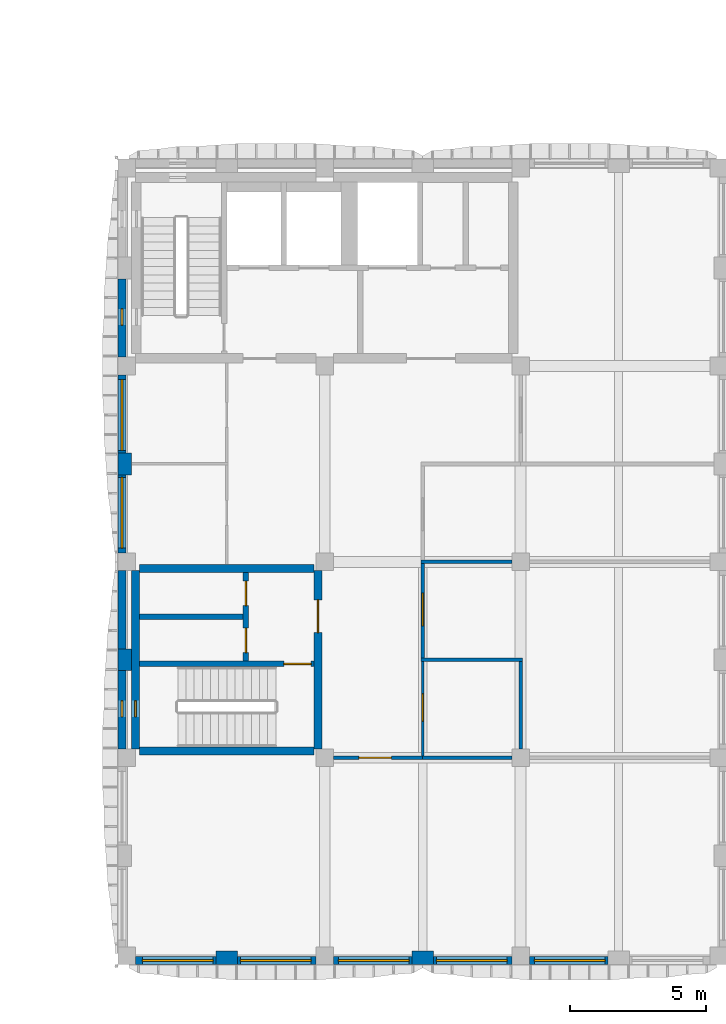
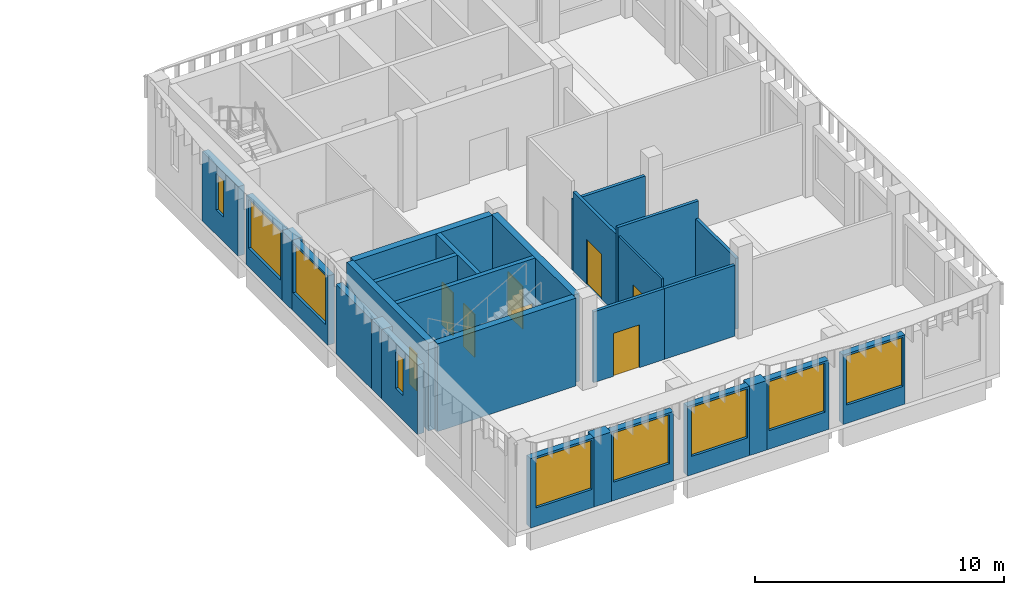
# One storey, part 4 of 24: 28 walls, 10 windows, 7 doors, 17 openings.
"""IFC4 building model written with IfcOpenShell, lengths in metres."""

from ifc_helpers import new_model, si_unit, direction, frame, frame_2d, origin, place, context, subcontext, project, spatial, rectangle, extrude, material, layer, layer_set, type_object, element, fill, save


model = new_model("IFC4")

# Units and contexts
model_context = context("Model", 3, precision=1e-05, world=origin(), true_north=direction((0.0, 1.0)))
body_context = subcontext(model_context, "Body", "Model", "MODEL_VIEW")
ifc_project = project(units=[si_unit("LENGTHUNIT", "METRE"), si_unit("AREAUNIT", "SQUARE_METRE"), si_unit("VOLUMEUNIT", "CUBIC_METRE"), si_unit("PLANEANGLEUNIT", "RADIAN"), si_unit("MASSUNIT", "GRAM", prefix="KILO")], contexts=[model_context])

# Site, building, storey
site_placement = place(None, origin())
site = spatial("IfcSite", under=ifc_project, at=site_placement, CompositionType="ELEMENT")
building_placement = place(site_placement, origin())
building = spatial("IfcBuilding", under=site, at=building_placement, Name="Ussher Court Research Institute", CompositionType="ELEMENT")
storey_placement = place(building_placement, frame((0.0, 0.0, 32.39990234375)))
storey = spatial("IfcBuildingStorey", under=building, at=storey_placement, Name="L07", CompositionType="ELEMENT", Elevation=32.39990234375)

# Wall, opening, window
ifc_material_1 = material(Name="Blockwork with cream render", Category="masonry")
ifc_layer_1 = layer(ifc_material_1, 0.300048828125)
ifc_layer_set_1 = layer_set([ifc_layer_1], Name="Blockwork with cream render")
wall_type_1 = type_object("IfcWallType", Name="External wall 300 cream render", PredefinedType="SOLIDWALL", material=ifc_layer_set_1)
wall_1_placement = place(storey_placement, frame((81.949951171875, 18.72509765625, 0.0), z_axis=(0.0, 0.0, 1.0), x_axis=(0.0, 1.0, 0.0)))
wall_1 = element("IfcWall", 1, at=wall_1_placement, inside=storey, type_object=wall_type_1, Name="External wall EW1 L07", PredefinedType="SOLIDWALL", context=body_context, shape_type="SweptSolid", body=[
    extrude(rectangle(XDim=2.875, YDim=0.300048828125, at=frame_2d((1.4375, 0.0))), origin(), (0.0, 0.0, 1.0), 3.400146484375),
])
opening_1_placement = place(wall_1_placement, frame((0.175048828125, 0.0, 0.89990234375)))
opening_1 = element("IfcOpeningElement", 2, at=opening_1_placement, cuts=wall_1, Name="Opening W01", PredefinedType="OPENING", context=body_context, shape_type="SweptSolid", body=[
    extrude(rectangle(XDim=2.60009765625, YDim=2.39990234375, at=frame_2d((1.300048828125, 1.199951171875))), frame((0.0, 0.16015625, 0.0), z_axis=(0.0, -1.0, 0.0), x_axis=(1.0, 0.0, 0.0)), (0.0, 0.0, 1.0), 0.320068359375),
])
ifc_material_2 = material(Name="Bronze anodised aluminium with double glazing", Category="aluminium")
window_type_1 = type_object("IfcWindowType", Name="Laboratory bay window 2600x2400", PartitioningType="DOUBLE_PANEL_VERTICAL", PredefinedType="WINDOW", material=ifc_material_2)
window_1_placement = place(opening_1_placement, origin())
window_1 = element("IfcWindow", 3, at=window_1_placement, inside=storey, type_object=window_type_1, Name="Window W01 L07", OverallHeight=2.39990234375, OverallWidth=2.60009765625, PartitioningType="SINGLE_PANEL", PredefinedType="WINDOW", context=body_context, shape_type="SweptSolid", body=[
    extrude(rectangle(XDim=2.60009765625, YDim=2.39990234375, at=frame_2d((1.300048828125, 1.199951171875))), frame((0.0, 0.030029296875, 0.0), z_axis=(0.0, -1.0, 0.0), x_axis=(1.0, 0.0, 0.0)), (0.0, 0.0, 1.0), 0.06005859375),
])
fill(opening_1, window_1)

wall_2_placement = place(storey_placement, frame((81.949951171875, 22.39990234375, 0.0), z_axis=(0.0, 0.0, 1.0), x_axis=(0.0, 1.0, 0.0)))
wall_2 = element("IfcWall", 4, at=wall_2_placement, inside=storey, type_object=wall_type_1, Name="External wall EW1 L07", PredefinedType="SOLIDWALL", context=body_context, shape_type="SweptSolid", body=[
    extrude(rectangle(XDim=2.875, YDim=0.300048828125, at=frame_2d((1.4375, 0.0))), origin(), (0.0, 0.0, 1.0), 3.400146484375),
])
opening_2_placement = place(wall_2_placement, frame((0.10009765625, 0.0, 0.89990234375)))
opening_2 = element("IfcOpeningElement", 5, at=opening_2_placement, cuts=wall_2, Name="Opening W01", PredefinedType="OPENING", context=body_context, shape_type="SweptSolid", body=[
    extrude(rectangle(XDim=2.60009765625, YDim=2.39990234375, at=frame_2d((1.300048828125, 1.199951171875))), frame((0.0, 0.16015625, 0.0), z_axis=(0.0, -1.0, 0.0), x_axis=(1.0, 0.0, 0.0)), (0.0, 0.0, 1.0), 0.320068359375),
])
window_2_placement = place(opening_2_placement, origin())
window_2 = element("IfcWindow", 6, at=window_2_placement, inside=storey, type_object=window_type_1, Name="Window W01 L07", OverallHeight=2.39990234375, OverallWidth=2.60009765625, PartitioningType="SINGLE_PANEL", PredefinedType="WINDOW", context=body_context, shape_type="SweptSolid", body=[
    extrude(rectangle(XDim=2.60009765625, YDim=2.39990234375, at=frame_2d((1.300048828125, 1.199951171875))), frame((0.0, 0.030029296875, 0.0), z_axis=(0.0, -1.0, 0.0), x_axis=(1.0, 0.0, 0.0)), (0.0, 0.0, 1.0), 0.06005859375),
])
fill(opening_2, window_2)

wall_3_placement = place(storey_placement, frame((99.800048828125, 3.75, 0.0), z_axis=(0.0, 0.0, 1.0), x_axis=(-1.0, 0.0, 0.0)))
wall_3 = element("IfcWall", 7, at=wall_3_placement, inside=storey, type_object=wall_type_1, Name="External wall EW1 L07", PredefinedType="SOLIDWALL", context=body_context, shape_type="SweptSolid", body=[
    extrude(rectangle(XDim=2.875, YDim=0.300048828125, at=frame_2d((1.4375, 0.0))), origin(), (0.0, 0.0, 1.0), 3.400146484375),
])
opening_3_placement = place(wall_3_placement, frame((0.10009765625, 0.0, 0.89990234375)))
opening_3 = element("IfcOpeningElement", 8, at=opening_3_placement, cuts=wall_3, Name="Opening W01", PredefinedType="OPENING", context=body_context, shape_type="SweptSolid", body=[
    extrude(rectangle(XDim=2.60009765625, YDim=2.39990234375, at=frame_2d((1.300048828125, 1.199951171875))), frame((0.0, 0.16015625, 0.0), z_axis=(0.0, -1.0, 0.0), x_axis=(1.0, 0.0, 0.0)), (0.0, 0.0, 1.0), 0.320068359375),
])
window_3_placement = place(opening_3_placement, origin())
window_3 = element("IfcWindow", 9, at=window_3_placement, inside=storey, type_object=window_type_1, Name="Window W01 L07", OverallHeight=2.39990234375, OverallWidth=2.60009765625, PartitioningType="SINGLE_PANEL", PredefinedType="WINDOW", context=body_context, shape_type="SweptSolid", body=[
    extrude(rectangle(XDim=2.60009765625, YDim=2.39990234375, at=frame_2d((1.300048828125, 1.199951171875))), frame((0.0, 0.030029296875, 0.0), z_axis=(0.0, -1.0, 0.0), x_axis=(1.0, 0.0, 0.0)), (0.0, 0.0, 1.0), 0.06005859375),
])
fill(opening_3, window_3)

wall_4_placement = place(storey_placement, frame((96.27490234375, 3.75, 0.0), z_axis=(0.0, 0.0, 1.0), x_axis=(-1.0, 0.0, 0.0)))
wall_4 = element("IfcWall", 10, at=wall_4_placement, inside=storey, type_object=wall_type_1, Name="External wall EW1 L07", PredefinedType="SOLIDWALL", context=body_context, shape_type="SweptSolid", body=[
    extrude(rectangle(XDim=2.875, YDim=0.300048828125, at=frame_2d((1.4375, 0.0))), origin(), (0.0, 0.0, 1.0), 3.400146484375),
])
opening_4_placement = place(wall_4_placement, frame((0.175048828125, 0.0, 0.89990234375)))
opening_4 = element("IfcOpeningElement", 11, at=opening_4_placement, cuts=wall_4, Name="Opening W01", PredefinedType="OPENING", context=body_context, shape_type="SweptSolid", body=[
    extrude(rectangle(XDim=2.60009765625, YDim=2.39990234375, at=frame_2d((1.300048828125, 1.199951171875))), frame((0.0, 0.16015625, 0.0), z_axis=(0.0, -1.0, 0.0), x_axis=(1.0, 0.0, 0.0)), (0.0, 0.0, 1.0), 0.320068359375),
])
window_4_placement = place(opening_4_placement, origin())
window_4 = element("IfcWindow", 12, at=window_4_placement, inside=storey, type_object=window_type_1, Name="Window W01 L07", OverallHeight=2.39990234375, OverallWidth=2.60009765625, PartitioningType="SINGLE_PANEL", PredefinedType="WINDOW", context=body_context, shape_type="SweptSolid", body=[
    extrude(rectangle(XDim=2.60009765625, YDim=2.39990234375, at=frame_2d((1.300048828125, 1.199951171875))), frame((0.0, 0.030029296875, 0.0), z_axis=(0.0, -1.0, 0.0), x_axis=(1.0, 0.0, 0.0)), (0.0, 0.0, 1.0), 0.06005859375),
])
fill(opening_4, window_4)

wall_5_placement = place(storey_placement, frame((92.60009765625, 3.75, 0.0), z_axis=(0.0, 0.0, 1.0), x_axis=(-1.0, 0.0, 0.0)))
wall_5 = element("IfcWall", 13, at=wall_5_placement, inside=storey, type_object=wall_type_1, Name="External wall EW1 L07", PredefinedType="SOLIDWALL", context=body_context, shape_type="SweptSolid", body=[
    extrude(rectangle(XDim=2.875, YDim=0.300048828125, at=frame_2d((1.4375, 0.0))), origin(), (0.0, 0.0, 1.0), 3.400146484375),
])
opening_5_placement = place(wall_5_placement, frame((0.10009765625, 0.0, 0.89990234375)))
opening_5 = element("IfcOpeningElement", 14, at=opening_5_placement, cuts=wall_5, Name="Opening W01", PredefinedType="OPENING", context=body_context, shape_type="SweptSolid", body=[
    extrude(rectangle(XDim=2.60009765625, YDim=2.39990234375, at=frame_2d((1.300048828125, 1.199951171875))), frame((0.0, 0.16015625, 0.0), z_axis=(0.0, -1.0, 0.0), x_axis=(1.0, 0.0, 0.0)), (0.0, 0.0, 1.0), 0.320068359375),
])
window_5_placement = place(opening_5_placement, origin())
window_5 = element("IfcWindow", 15, at=window_5_placement, inside=storey, type_object=window_type_1, Name="Window W01 L07", OverallHeight=2.39990234375, OverallWidth=2.60009765625, PartitioningType="SINGLE_PANEL", PredefinedType="WINDOW", context=body_context, shape_type="SweptSolid", body=[
    extrude(rectangle(XDim=2.60009765625, YDim=2.39990234375, at=frame_2d((1.300048828125, 1.199951171875))), frame((0.0, 0.030029296875, 0.0), z_axis=(0.0, -1.0, 0.0), x_axis=(1.0, 0.0, 0.0)), (0.0, 0.0, 1.0), 0.06005859375),
])
fill(opening_5, window_5)

wall_6_placement = place(storey_placement, frame((89.074951171875, 3.75, 0.0), z_axis=(0.0, 0.0, 1.0), x_axis=(-1.0, 0.0, 0.0)))
wall_6 = element("IfcWall", 16, at=wall_6_placement, inside=storey, type_object=wall_type_1, Name="External wall EW1 L07", PredefinedType="SOLIDWALL", context=body_context, shape_type="SweptSolid", body=[
    extrude(rectangle(XDim=2.875, YDim=0.300048828125, at=frame_2d((1.4375, 0.0))), origin(), (0.0, 0.0, 1.0), 3.400146484375),
])
opening_6_placement = place(wall_6_placement, frame((0.175048828125, 0.0, 0.89990234375)))
opening_6 = element("IfcOpeningElement", 17, at=opening_6_placement, cuts=wall_6, Name="Opening W01", PredefinedType="OPENING", context=body_context, shape_type="SweptSolid", body=[
    extrude(rectangle(XDim=2.60009765625, YDim=2.39990234375, at=frame_2d((1.300048828125, 1.199951171875))), frame((0.0, 0.16015625, 0.0), z_axis=(0.0, -1.0, 0.0), x_axis=(1.0, 0.0, 0.0)), (0.0, 0.0, 1.0), 0.320068359375),
])
window_6_placement = place(opening_6_placement, origin())
window_6 = element("IfcWindow", 18, at=window_6_placement, inside=storey, type_object=window_type_1, Name="Window W01 L07", OverallHeight=2.39990234375, OverallWidth=2.60009765625, PartitioningType="SINGLE_PANEL", PredefinedType="WINDOW", context=body_context, shape_type="SweptSolid", body=[
    extrude(rectangle(XDim=2.60009765625, YDim=2.39990234375, at=frame_2d((1.300048828125, 1.199951171875))), frame((0.0, 0.030029296875, 0.0), z_axis=(0.0, -1.0, 0.0), x_axis=(1.0, 0.0, 0.0)), (0.0, 0.0, 1.0), 0.06005859375),
])
fill(opening_6, window_6)

wall_7_placement = place(storey_placement, frame((85.39990234375, 3.75, 0.0), z_axis=(0.0, 0.0, 1.0), x_axis=(-1.0, 0.0, 0.0)))
wall_7 = element("IfcWall", 19, at=wall_7_placement, inside=storey, type_object=wall_type_1, Name="External wall EW1 L07", PredefinedType="SOLIDWALL", context=body_context, shape_type="SweptSolid", body=[
    extrude(rectangle(XDim=2.949951171875, YDim=0.300048828125, at=frame_2d((1.47509765625, 0.0))), origin(), (0.0, 0.0, 1.0), 3.400146484375),
])
opening_7_placement = place(wall_7_placement, frame((0.10009765625, 0.0, 0.89990234375)))
opening_7 = element("IfcOpeningElement", 20, at=opening_7_placement, cuts=wall_7, Name="Opening W01", PredefinedType="OPENING", context=body_context, shape_type="SweptSolid", body=[
    extrude(rectangle(XDim=2.60009765625, YDim=2.39990234375, at=frame_2d((1.300048828125, 1.199951171875))), frame((0.0, 0.16015625, 0.0), z_axis=(0.0, -1.0, 0.0), x_axis=(1.0, 0.0, 0.0)), (0.0, 0.0, 1.0), 0.320068359375),
])
window_7_placement = place(opening_7_placement, origin())
window_7 = element("IfcWindow", 21, at=window_7_placement, inside=storey, type_object=window_type_1, Name="Window W01 L07", OverallHeight=2.39990234375, OverallWidth=2.60009765625, PartitioningType="SINGLE_PANEL", PredefinedType="WINDOW", context=body_context, shape_type="SweptSolid", body=[
    extrude(rectangle(XDim=2.60009765625, YDim=2.39990234375, at=frame_2d((1.300048828125, 1.199951171875))), frame((0.0, 0.030029296875, 0.0), z_axis=(0.0, -1.0, 0.0), x_axis=(1.0, 0.0, 0.0)), (0.0, 0.0, 1.0), 0.06005859375),
])
fill(opening_7, window_7)

ifc_material_3 = material(Name="Limestone facing on blockwork", Category="masonry")
ifc_layer_2 = layer(ifc_material_3, 0.300048828125)
ifc_layer_set_2 = layer_set([ifc_layer_2], Name="Limestone facing on blockwork")
wall_type_2 = type_object("IfcWallType", Name="External wall 300 stair enclosure", PredefinedType="SOLIDWALL", material=ifc_layer_set_2)
wall_8_placement = place(storey_placement, frame((81.949951171875, 11.52490234375, 0.0), z_axis=(0.0, 0.0, 1.0), x_axis=(0.0, 1.0, 0.0)))
wall_8 = element("IfcWall", 22, at=wall_8_placement, inside=storey, type_object=wall_type_2, Name="External wall EW5 L07", PredefinedType="SOLIDWALL", context=body_context, shape_type="SweptSolid", body=[
    extrude(rectangle(XDim=2.875, YDim=0.300048828125, at=frame_2d((1.4375, 0.0))), origin(), (0.0, 0.0, 1.0), 3.400146484375),
])
opening_8_placement = place(wall_8_placement, frame((1.175048828125, 0.0, 1.199951171875)))
opening_8 = element("IfcOpeningElement", 23, at=opening_8_placement, cuts=wall_8, Name="Opening W25", PredefinedType="OPENING", context=body_context, shape_type="SweptSolid", body=[
    extrude(rectangle(XDim=0.60009765625, YDim=1.800048828125, at=frame_2d((0.300048828125, 0.89990234375))), frame((0.0, 0.16015625, 0.0), z_axis=(0.0, -1.0, 0.0), x_axis=(1.0, 0.0, 0.0)), (0.0, 0.0, 1.0), 0.320068359375),
])
ifc_material_4 = material(Name="Bronze anodised aluminium with double glazing", Category="aluminium")
window_type_2 = type_object("IfcWindowType", Name="Stair light slot window 600x1800 fire-resisting glazing", PartitioningType="SINGLE_PANEL", PredefinedType="WINDOW", material=ifc_material_4)
window_8_placement = place(opening_8_placement, origin())
window_8 = element("IfcWindow", 24, at=window_8_placement, inside=storey, type_object=window_type_2, Name="Window W25 L07", OverallHeight=1.800048828125, OverallWidth=0.60009765625, PartitioningType="SINGLE_PANEL", PredefinedType="WINDOW", context=body_context, shape_type="SweptSolid", body=[
    extrude(rectangle(XDim=0.60009765625, YDim=1.800048828125, at=frame_2d((0.300048828125, 0.89990234375))), frame((0.0, 0.030029296875, 0.0), z_axis=(0.0, -1.0, 0.0), x_axis=(1.0, 0.0, 0.0)), (0.0, 0.0, 1.0), 0.06005859375),
])
fill(opening_8, window_8)

# Wall
wall_9_placement = place(storey_placement, frame((81.949951171875, 15.199951171875, 0.0), z_axis=(0.0, 0.0, 1.0), x_axis=(0.0, 1.0, 0.0)))
element("IfcWall", 25, at=wall_9_placement, inside=storey, type_object=wall_type_2, Name="External wall EW5 L07", PredefinedType="SOLIDWALL", context=body_context, shape_type="SweptSolid", body=[
    extrude(rectangle(XDim=2.875, YDim=0.300048828125, at=frame_2d((1.4375, 0.0))), origin(), (0.0, 0.0, 1.0), 3.400146484375),
])

# Wall, opening, window
wall_10_placement = place(storey_placement, frame((81.949951171875, 25.925048828125, 0.0), z_axis=(0.0, 0.0, 1.0), x_axis=(0.0, 1.0, 0.0)))
wall_10 = element("IfcWall", 26, at=wall_10_placement, inside=storey, type_object=wall_type_2, Name="External wall EW5 L07", PredefinedType="SOLIDWALL", context=body_context, shape_type="SweptSolid", body=[
    extrude(rectangle(XDim=2.875, YDim=0.300048828125, at=frame_2d((1.4375, 0.0))), origin(), (0.0, 0.0, 1.0), 3.400146484375),
])
opening_9_placement = place(wall_10_placement, frame((1.175048828125, 0.0, 1.199951171875)))
opening_9 = element("IfcOpeningElement", 27, at=opening_9_placement, cuts=wall_10, Name="Opening W25", PredefinedType="OPENING", context=body_context, shape_type="SweptSolid", body=[
    extrude(rectangle(XDim=0.60009765625, YDim=1.800048828125, at=frame_2d((0.300048828125, 0.89990234375))), frame((0.0, 0.16015625, 0.0), z_axis=(0.0, -1.0, 0.0), x_axis=(1.0, 0.0, 0.0)), (0.0, 0.0, 1.0), 0.320068359375),
])
window_9_placement = place(opening_9_placement, origin())
window_9 = element("IfcWindow", 28, at=window_9_placement, inside=storey, type_object=window_type_2, Name="Window W25 L07", OverallHeight=1.800048828125, OverallWidth=0.60009765625, PartitioningType="SINGLE_PANEL", PredefinedType="WINDOW", context=body_context, shape_type="SweptSolid", body=[
    extrude(rectangle(XDim=0.60009765625, YDim=1.800048828125, at=frame_2d((0.300048828125, 0.89990234375))), frame((0.0, 0.030029296875, 0.0), z_axis=(0.0, -1.0, 0.0), x_axis=(1.0, 0.0, 0.0)), (0.0, 0.0, 1.0), 0.06005859375),
])
fill(opening_9, window_9)

# Wall, opening, door
ifc_material_5 = material(Name="Plastered blockwork", Category="masonry")
ifc_layer_3 = layer(ifc_material_5, 0.139892578125)
ifc_layer_set_3 = layer_set([ifc_layer_3], Name="Plastered blockwork")
wall_type_3 = type_object("IfcWallType", Name="Laboratory blockwork partition 140", PredefinedType="PARTITIONING", material=ifc_layer_set_3)
wall_11_placement = place(storey_placement, frame((93.0, 11.199951171875, 0.0), z_axis=(0.0, 0.0, 1.0), x_axis=(-1.0, 0.0, 0.0)))
wall_11 = element("IfcWall", 29, at=wall_11_placement, inside=storey, type_object=wall_type_3, Name="Partition", PredefinedType="PARTITIONING", context=body_context, shape_type="SweptSolid", body=[
    extrude(rectangle(XDim=3.27490234375, YDim=0.139892578125, at=frame_2d((1.637451171875, 0.0))), origin(), (0.0, 0.0, 1.0), 3.47021484375),
])
opening_10_placement = place(wall_11_placement, frame((1.14990234375, 0.0, 0.0)))
opening_10 = element("IfcOpeningElement", 30, at=opening_10_placement, cuts=wall_11, Name="Opening D07009", PredefinedType="OPENING", context=body_context, shape_type="SweptSolid", body=[
    extrude(rectangle(XDim=1.199951171875, YDim=2.10009765625, at=frame_2d((0.60009765625, 1.050048828125))), frame((0.0, 0.080078125, 0.0), z_axis=(0.0, -1.0, 0.0), x_axis=(1.0, 0.0, 0.0)), (0.0, 0.0, 1.0), 0.159912109375),
])
ifc_material_6 = material(Name="Veneered timber door", Category="wood")
door_type_1 = type_object("IfcDoorType", Name="Laboratory door 1200x2100", OperationType="NOTDEFINED", PredefinedType="DOOR", material=ifc_material_6)
door_1_placement = place(opening_10_placement, origin())
door_1 = element("IfcDoor", 31, at=door_1_placement, inside=storey, type_object=door_type_1, Name="Door D07009", OperationType="SINGLE_SWING_RIGHT", OverallHeight=2.10009765625, OverallWidth=1.199951171875, PredefinedType="DOOR", context=body_context, shape_type="SweptSolid", body=[
    extrude(rectangle(XDim=1.199951171875, YDim=2.10009765625, at=frame_2d((0.60009765625, 1.050048828125))), frame((0.0, 0.02490234375, 0.0), z_axis=(0.0, -1.0, 0.0), x_axis=(1.0, 0.0, 0.0)), (0.0, 0.0, 1.0), 0.050048828125),
])
fill(opening_10, door_1)

# Walls
wall_12_placement = place(storey_placement, frame((93.0, 11.199951171875, 0.0), z_axis=(0.0, 0.0, 1.0), x_axis=(1.0, 0.0, 0.0)))
element("IfcWall", 32, at=wall_12_placement, inside=storey, type_object=wall_type_3, Name="Partition", PredefinedType="PARTITIONING", context=body_context, shape_type="SweptSolid", body=[
    extrude(rectangle(XDim=3.27490234375, YDim=0.139892578125, at=frame_2d((1.637451171875, 0.0))), origin(), (0.0, 0.0, 1.0), 3.47021484375),
])
wall_13_placement = place(storey_placement, frame((92.929931640625, 14.800048828125, 0.0), z_axis=(0.0, 0.0, 1.0), x_axis=(1.0, 0.0, 0.0)))
element("IfcWall", 33, at=wall_13_placement, inside=storey, type_object=wall_type_3, Name="Partition", PredefinedType="PARTITIONING", context=body_context, shape_type="SweptSolid", body=[
    extrude(rectangle(XDim=3.739990234375, YDim=0.139892578125, at=frame_2d((1.8701171875, 0.0))), origin(), (0.0, 0.0, 1.0), 4.300048828125),
])
wall_14_placement = place(storey_placement, frame((92.929931640625, 18.39990234375, 0.0), z_axis=(0.0, 0.0, 1.0), x_axis=(1.0, 0.0, 0.0)))
element("IfcWall", 34, at=wall_14_placement, inside=storey, type_object=wall_type_3, Name="Partition", PredefinedType="PARTITIONING", context=body_context, shape_type="SweptSolid", body=[
    extrude(rectangle(XDim=3.344970703125, YDim=0.139892578125, at=frame_2d((1.67236328125, 0.0))), origin(), (0.0, 0.0, 1.0), 3.47021484375),
])

# Wall, opening, door
wall_15_placement = place(storey_placement, frame((93.0, 18.330078125, 0.0), z_axis=(0.0, 0.0, 1.0), x_axis=(0.0, -1.0, 0.0)))
wall_15 = element("IfcWall", 35, at=wall_15_placement, inside=storey, type_object=wall_type_3, Name="Partition", PredefinedType="PARTITIONING", context=body_context, shape_type="SweptSolid", body=[
    extrude(rectangle(XDim=3.4599609375, YDim=0.139892578125, at=frame_2d((1.72998046875, 0.0))), origin(), (0.0, 0.0, 1.0), 3.8701171875),
])
opening_11_placement = place(wall_15_placement, frame((1.080078125, 0.0, 0.0)))
opening_11 = element("IfcOpeningElement", 36, at=opening_11_placement, cuts=wall_15, Name="Opening D07011", PredefinedType="OPENING", context=body_context, shape_type="SweptSolid", body=[
    extrude(rectangle(XDim=1.199951171875, YDim=2.199951171875, at=frame_2d((0.60009765625, 1.10009765625))), frame((0.0, 0.080078125, 0.0), z_axis=(0.0, -1.0, 0.0), x_axis=(1.0, 0.0, 0.0)), (0.0, 0.0, 1.0), 0.159912109375),
])
ifc_material_7 = material(Name="Veneered timber door", Category="wood")
door_type_2 = type_object("IfcDoorType", Name="Containment laboratory door 1200x2200", OperationType="NOTDEFINED", PredefinedType="DOOR", material=ifc_material_7)
door_2_placement = place(opening_11_placement, origin())
door_2 = element("IfcDoor", 37, at=door_2_placement, inside=storey, type_object=door_type_2, Name="Door D07011", OperationType="SINGLE_SWING_LEFT", OverallHeight=2.199951171875, OverallWidth=1.199951171875, PredefinedType="DOOR", context=body_context, shape_type="SweptSolid", body=[
    extrude(rectangle(XDim=1.199951171875, YDim=2.199951171875, at=frame_2d((0.60009765625, 1.10009765625))), frame((0.0, 0.02490234375, 0.0), z_axis=(0.0, -1.0, 0.0), x_axis=(1.0, 0.0, 0.0)), (0.0, 0.0, 1.0), 0.050048828125),
])
fill(opening_11, door_2)

# Walls
wall_16_placement = place(storey_placement, frame((96.60009765625, 11.52490234375, 0.0), z_axis=(0.0, 0.0, 1.0), x_axis=(0.0, 1.0, 0.0)))
element("IfcWall", 38, at=wall_16_placement, inside=storey, type_object=wall_type_3, Name="Partition", PredefinedType="PARTITIONING", context=body_context, shape_type="SweptSolid", body=[
    extrude(rectangle(XDim=3.205078125, YDim=0.139892578125, at=frame_2d((1.6025390625, 0.0))), origin(), (0.0, 0.0, 1.0), 3.47021484375),
])
ifc_material_8 = material(Name="Blockwork with cream render", Category="masonry")
ifc_layer_4 = layer(ifc_material_8, 0.5)
ifc_layer_set_4 = layer_set([ifc_layer_4], Name="Blockwork with cream render")
wall_type_4 = type_object("IfcWallType", Name="Pier 800x500 cream render", PredefinedType="SOLIDWALL", material=ifc_layer_set_4)
wall_17_placement = place(storey_placement, frame((82.050048828125, 14.39990234375, 0.0), z_axis=(0.0, 0.0, 1.0), x_axis=(0.0, 1.0, 0.0)))
element("IfcWall", 39, at=wall_17_placement, inside=storey, type_object=wall_type_4, Name="Pier PR1 L07", PredefinedType="SOLIDWALL", context=body_context, shape_type="SweptSolid", body=[
    extrude(rectangle(XDim=0.800048828125, YDim=0.5, at=frame_2d((0.39990234375, 0.0))), origin(), (0.0, 0.0, 1.0), 3.400146484375),
])
for number, where, z_axis, x_axis, name in (
    (40, (82.050048828125, 21.60009765625, 0.0), (0.0, 0.0, 1.0), (0.0, 1.0, 0.0), "Pier PR1 L07"),
    (41, (93.39990234375, 3.85009765625, 0.0), (0.0, 0.0, 1.0), (-1.0, 0.0, 0.0), "Pier PR1 L07"),
):
    element("IfcWall", number, at=place(storey_placement, frame(where, z_axis=z_axis, x_axis=x_axis)), inside=storey, type_object=wall_type_4, Name=name, PredefinedType="SOLIDWALL", context=body_context, shape_type="SweptSolid", body=[
        extrude(rectangle(XDim=0.7998046875, YDim=0.5, at=frame_2d((0.39990234375, 0.0))), origin(), (0.0, 0.0, 1.0), 3.400146484375),
    ])
wall_18_placement = place(storey_placement, frame((86.199951171875, 3.85009765625, 0.0), z_axis=(0.0, 0.0, 1.0), x_axis=(-1.0, 0.0, 0.0)))
element("IfcWall", 42, at=wall_18_placement, inside=storey, type_object=wall_type_4, Name="Pier PR1 L07", PredefinedType="SOLIDWALL", context=body_context, shape_type="SweptSolid", body=[
    extrude(rectangle(XDim=0.800048828125, YDim=0.5, at=frame_2d((0.39990234375, 0.0))), origin(), (0.0, 0.0, 1.0), 3.400146484375),
])

# Wall, opening, door
ifc_material_9 = material(Name="Concrete C35/45", Category="concrete")
ifc_layer_5 = layer(ifc_material_9, 0.199951171875)
ifc_layer_set_5 = layer_set([ifc_layer_5], Name="Concrete C35/45")
wall_type_5 = type_object("IfcWallType", Name="RC core wall 200", PredefinedType="SHEAR", material=ifc_layer_set_5)
wall_19_placement = place(storey_placement, frame((89.0, 14.64990234375, 0.0), z_axis=(0.0, 0.0, 1.0), x_axis=(-1.0, 0.0, 0.0)))
wall_19 = element("IfcWall", 43, at=wall_19_placement, inside=storey, type_object=wall_type_5, Name="Core wall T2", PredefinedType="SHEAR", context=body_context, shape_type="SweptSolid", body=[
    extrude(rectangle(XDim=6.39990234375, YDim=0.199951171875, at=frame_2d((3.199951171875, 0.0))), origin(), (0.0, 0.0, 1.0), 4.300048828125),
])
opening_12_placement = place(wall_19_placement, frame((0.10009765625, 0.0, 0.0)))
opening_12 = element("IfcOpeningElement", 44, at=opening_12_placement, cuts=wall_19, Name="Opening D07007", PredefinedType="OPENING", context=body_context, shape_type="SweptSolid", body=[
    extrude(rectangle(XDim=1.0, YDim=2.10009765625, at=frame_2d((0.5, 1.050048828125))), frame((0.0, 0.10986328125, 0.0), z_axis=(0.0, -1.0, 0.0), x_axis=(1.0, 0.0, 0.0)), (0.0, 0.0, 1.0), 0.219970703125),
])
ifc_material_10 = material(Name="Painted steel faced fire door", Category="steel")
door_type_3 = type_object("IfcDoorType", Name="Fire door 1000x2100 FD60", OperationType="NOTDEFINED", PredefinedType="DOOR", material=ifc_material_10)
door_3_placement = place(opening_12_placement, origin())
door_3 = element("IfcDoor", 45, at=door_3_placement, inside=storey, type_object=door_type_3, Name="Door D07007", OperationType="SINGLE_SWING_LEFT", OverallHeight=2.10009765625, OverallWidth=1.0, PredefinedType="DOOR", context=body_context, shape_type="SweptSolid", body=[
    extrude(rectangle(XDim=1.0, YDim=2.10009765625, at=frame_2d((0.5, 1.050048828125))), frame((0.0, 0.02490234375, 0.0), z_axis=(0.0, -1.0, 0.0), x_axis=(1.0, 0.0, 0.0)), (0.0, 0.0, 1.0), 0.050048828125),
])
fill(opening_12, door_3)

# Wall, openings, doors
wall_20_placement = place(storey_placement, frame((86.5, 18.0, 0.0), z_axis=(0.0, 0.0, 1.0), x_axis=(0.0, -1.0, 0.0)))
wall_20 = element("IfcWall", 46, at=wall_20_placement, inside=storey, type_object=wall_type_5, Name="Core wall T2", PredefinedType="SHEAR", context=body_context, shape_type="SweptSolid", body=[
    extrude(rectangle(XDim=3.25, YDim=0.199951171875, at=frame_2d((1.625, 0.0))), origin(), (0.0, 0.0, 1.0), 4.300048828125),
])
opening_13_placement = place(wall_20_placement, frame((2.03759765625, 0.0, 0.0)))
opening_13 = element("IfcOpeningElement", 47, at=opening_13_placement, cuts=wall_20, Name="Opening D07004", PredefinedType="OPENING", context=body_context, shape_type="SweptSolid", body=[
    extrude(rectangle(XDim=0.89990234375, YDim=2.10009765625, at=frame_2d((0.449951171875, 1.050048828125))), frame((0.0, 0.10986328125, 0.0), z_axis=(0.0, -1.0, 0.0), x_axis=(1.0, 0.0, 0.0)), (0.0, 0.0, 1.0), 0.219970703125),
])
opening_14_placement = place(wall_20_placement, frame((0.3125, 0.0, 0.0)))
opening_14 = element("IfcOpeningElement", 48, at=opening_14_placement, cuts=wall_20, Name="Opening D07005", PredefinedType="OPENING", context=body_context, shape_type="SweptSolid", body=[
    extrude(rectangle(XDim=0.89990234375, YDim=2.10009765625, at=frame_2d((0.449951171875, 1.050048828125))), frame((0.0, 0.10986328125, 0.0), z_axis=(0.0, -1.0, 0.0), x_axis=(1.0, 0.0, 0.0)), (0.0, 0.0, 1.0), 0.219970703125),
])
ifc_material_11 = material(Name="Painted steel faced fire door", Category="steel")
door_type_4 = type_object("IfcDoorType", Name="Fire door 900x2100 FD60", OperationType="NOTDEFINED", PredefinedType="DOOR", material=ifc_material_11)
door_4_placement = place(opening_13_placement, origin())
door_4 = element("IfcDoor", 49, at=door_4_placement, inside=storey, type_object=door_type_4, Name="Door D07004", OperationType="SINGLE_SWING_RIGHT", OverallHeight=2.10009765625, OverallWidth=0.89990234375, PredefinedType="DOOR", context=body_context, shape_type="SweptSolid", body=[
    extrude(rectangle(XDim=0.89990234375, YDim=2.10009765625, at=frame_2d((0.449951171875, 1.050048828125))), frame((0.0, 0.02490234375, 0.0), z_axis=(0.0, -1.0, 0.0), x_axis=(1.0, 0.0, 0.0)), (0.0, 0.0, 1.0), 0.050048828125),
])
fill(opening_13, door_4)
door_5_placement = place(opening_14_placement, origin())
door_5 = element("IfcDoor", 50, at=door_5_placement, inside=storey, type_object=door_type_4, Name="Door D07005", OperationType="SINGLE_SWING_LEFT", OverallHeight=2.10009765625, OverallWidth=0.89990234375, PredefinedType="DOOR", context=body_context, shape_type="SweptSolid", body=[
    extrude(rectangle(XDim=0.89990234375, YDim=2.10009765625, at=frame_2d((0.449951171875, 1.050048828125))), frame((0.0, 0.02490234375, 0.0), z_axis=(0.0, -1.0, 0.0), x_axis=(1.0, 0.0, 0.0)), (0.0, 0.0, 1.0), 0.050048828125),
])
fill(opening_14, door_5)

# Wall
wall_21_placement = place(storey_placement, frame((82.60009765625, 16.375, 0.0), z_axis=(0.0, 0.0, 1.0), x_axis=(1.0, 0.0, 0.0)))
element("IfcWall", 51, at=wall_21_placement, inside=storey, type_object=wall_type_5, Name="Core wall T2", PredefinedType="SHEAR", context=body_context, shape_type="SweptSolid", body=[
    extrude(rectangle(XDim=3.7998046875, YDim=0.199951171875, at=frame_2d((1.89990234375, 0.0))), origin(), (0.0, 0.0, 1.0), 4.300048828125),
])

# Wall, opening, door
ifc_material_12 = material(Name="Concrete C35/45", Category="concrete")
ifc_layer_6 = layer(ifc_material_12, 0.300048828125)
ifc_layer_set_6 = layer_set([ifc_layer_6], Name="Concrete C35/45")
wall_type_6 = type_object("IfcWallType", Name="RC core wall 300", PredefinedType="SHEAR", material=ifc_layer_set_6)
wall_22_placement = place(storey_placement, frame((89.14990234375, 11.52490234375, 0.0), z_axis=(0.0, 0.0, 1.0), x_axis=(0.0, 1.0, 0.0)))
wall_22 = element("IfcWall", 52, at=wall_22_placement, inside=storey, type_object=wall_type_6, Name="Core wall T2", PredefinedType="SHEAR", context=body_context, shape_type="SweptSolid", body=[
    extrude(rectangle(XDim=6.550048828125, YDim=0.300048828125, at=frame_2d((3.27490234375, 0.0))), origin(), (0.0, 0.0, 1.0), 4.300048828125),
])
opening_15_placement = place(wall_22_placement, frame((4.27490234375, 0.0, 0.0)))
opening_15 = element("IfcOpeningElement", 53, at=opening_15_placement, cuts=wall_22, Name="Opening D07008", PredefinedType="OPENING", context=body_context, shape_type="SweptSolid", body=[
    extrude(rectangle(XDim=1.199951171875, YDim=2.10009765625, at=frame_2d((0.60009765625, 1.050048828125))), frame((0.0, 0.16015625, 0.0), z_axis=(0.0, -1.0, 0.0), x_axis=(1.0, 0.0, 0.0)), (0.0, 0.0, 1.0), 0.320068359375),
])
ifc_material_13 = material(Name="Painted steel faced fire door", Category="steel")
door_type_5 = type_object("IfcDoorType", Name="Fire door 1200x2100 FD60", OperationType="NOTDEFINED", PredefinedType="DOOR", material=ifc_material_13)
door_6_placement = place(opening_15_placement, origin())
door_6 = element("IfcDoor", 54, at=door_6_placement, inside=storey, type_object=door_type_5, Name="Door D07008", OperationType="SINGLE_SWING_RIGHT", OverallHeight=2.10009765625, OverallWidth=1.199951171875, PredefinedType="DOOR", context=body_context, shape_type="SweptSolid", body=[
    extrude(rectangle(XDim=1.199951171875, YDim=2.10009765625, at=frame_2d((0.60009765625, 1.050048828125))), frame((0.0, 0.02490234375, 0.0), z_axis=(0.0, -1.0, 0.0), x_axis=(1.0, 0.0, 0.0)), (0.0, 0.0, 1.0), 0.050048828125),
])
fill(opening_15, door_6)

# Wall, opening, window
wall_23_placement = place(storey_placement, frame((82.449951171875, 11.52490234375, 0.0), z_axis=(0.0, 0.0, 1.0), x_axis=(0.0, 1.0, 0.0)))
wall_23 = element("IfcWall", 55, at=wall_23_placement, inside=storey, type_object=wall_type_6, Name="Core wall T2", PredefinedType="SHEAR", context=body_context, shape_type="SweptSolid", body=[
    extrude(rectangle(XDim=6.550048828125, YDim=0.300048828125, at=frame_2d((3.27490234375, 0.0))), origin(), (0.0, 0.0, 1.0), 4.300048828125),
])
opening_16_placement = place(wall_23_placement, frame((1.175048828125, 0.0, 1.199951171875)))
opening_16 = element("IfcOpeningElement", 56, at=opening_16_placement, cuts=wall_23, Name="Opening W25", PredefinedType="OPENING", context=body_context, shape_type="SweptSolid", body=[
    extrude(rectangle(XDim=0.60009765625, YDim=1.800048828125, at=frame_2d((0.300048828125, 0.89990234375))), frame((0.0, 0.16015625, 0.0), z_axis=(0.0, -1.0, 0.0), x_axis=(1.0, 0.0, 0.0)), (0.0, 0.0, 1.0), 0.320068359375),
])
window_10_placement = place(opening_16_placement, origin())
window_10 = element("IfcWindow", 57, at=window_10_placement, inside=storey, type_object=window_type_2, Name="Window stair light T2 L07", OverallHeight=1.800048828125, OverallWidth=0.60009765625, PartitioningType="SINGLE_PANEL", PredefinedType="WINDOW", context=body_context, shape_type="SweptSolid", body=[
    extrude(rectangle(XDim=0.60009765625, YDim=1.800048828125, at=frame_2d((0.300048828125, 0.89990234375))), frame((0.0, 0.030029296875, 0.0), z_axis=(0.0, -1.0, 0.0), x_axis=(1.0, 0.0, 0.0)), (0.0, 0.0, 1.0), 0.06005859375),
])
fill(opening_16, window_10)

# Walls
for number, where, z_axis, x_axis, name in (
    (58, (82.60009765625, 11.449951171875, 0.0), (0.0, 0.0, 1.0), (1.0, 0.0, 0.0), "Core wall T2"),
    (59, (82.60009765625, 18.14990234375, 0.0), (0.0, 0.0, 1.0), (1.0, 0.0, 0.0), "Core wall T2"),
):
    element("IfcWall", number, at=place(storey_placement, frame(where, z_axis=z_axis, x_axis=x_axis)), inside=storey, type_object=wall_type_6, Name=name, PredefinedType="SHEAR", context=body_context, shape_type="SweptSolid", body=[
        extrude(rectangle(XDim=6.39990234375, YDim=0.300048828125, at=frame_2d((3.199951171875, 0.0))), origin(), (0.0, 0.0, 1.0), 4.300048828125),
    ])

# Wall, opening, door
ifc_material_14 = material(Name="Moisture-resistant board on steel studs", Category="steel")
ifc_layer_7 = layer(ifc_material_14, 0.090087890625)
ifc_layer_set_7 = layer_set([ifc_layer_7], Name="Moisture-resistant board on steel studs")
wall_type_7 = type_object("IfcWallType", Name="WC lining partition 90", PredefinedType="PARTITIONING", material=ifc_layer_set_7)
wall_24_placement = place(storey_placement, frame((93.0, 14.72998046875, 0.0), z_axis=(0.0, 0.0, 1.0), x_axis=(0.0, -1.0, 0.0)))
wall_24 = element("IfcWall", 60, at=wall_24_placement, inside=storey, type_object=wall_type_7, Name="Partition", PredefinedType="PARTITIONING", context=body_context, shape_type="SweptSolid", body=[
    extrude(rectangle(XDim=3.4599609375, YDim=0.090087890625, at=frame_2d((1.72998046875, 0.0))), origin(), (0.0, 0.0, 1.0), 3.8701171875),
])
opening_17_placement = place(wall_24_placement, frame((1.179931640625, 0.0, 0.0)))
opening_17 = element("IfcOpeningElement", 61, at=opening_17_placement, cuts=wall_24, Name="Opening D07010", PredefinedType="OPENING", context=body_context, shape_type="SweptSolid", body=[
    extrude(rectangle(XDim=1.0, YDim=2.199951171875, at=frame_2d((0.5, 1.10009765625))), frame((0.0, 0.05517578125, 0.0), z_axis=(0.0, -1.0, 0.0), x_axis=(1.0, 0.0, 0.0)), (0.0, 0.0, 1.0), 0.110107421875),
])
ifc_material_15 = material(Name="Veneered timber door", Category="wood")
door_type_6 = type_object("IfcDoorType", Name="Accessible WC door 1000x2200", OperationType="NOTDEFINED", PredefinedType="DOOR", material=ifc_material_15)
door_7_placement = place(opening_17_placement, origin())
door_7 = element("IfcDoor", 62, at=door_7_placement, inside=storey, type_object=door_type_6, Name="Door D07010", OperationType="SINGLE_SWING_LEFT", OverallHeight=2.199951171875, OverallWidth=1.0, PredefinedType="DOOR", context=body_context, shape_type="SweptSolid", body=[
    extrude(rectangle(XDim=1.0, YDim=2.199951171875, at=frame_2d((0.5, 1.10009765625))), frame((0.0, 0.02490234375, 0.0), z_axis=(0.0, -1.0, 0.0), x_axis=(1.0, 0.0, 0.0)), (0.0, 0.0, 1.0), 0.050048828125),
])
fill(opening_17, door_7)

save(model, "model.ifc")
